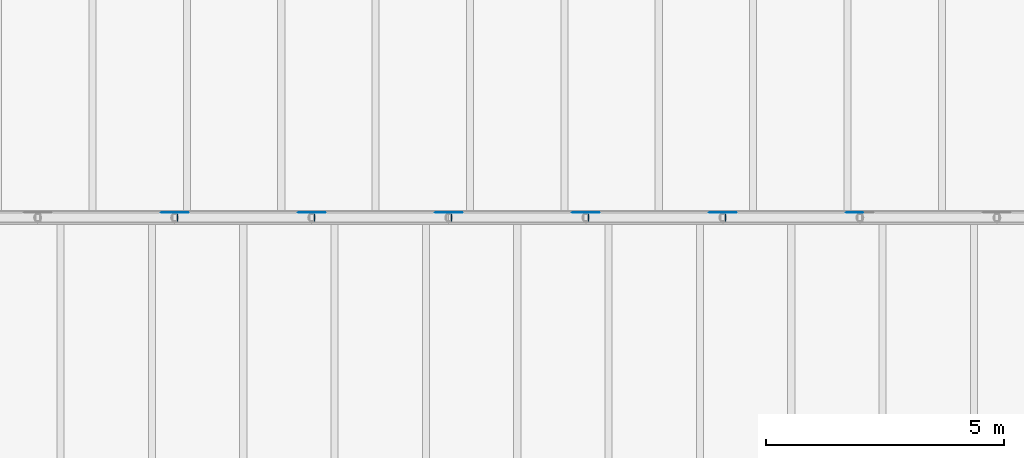
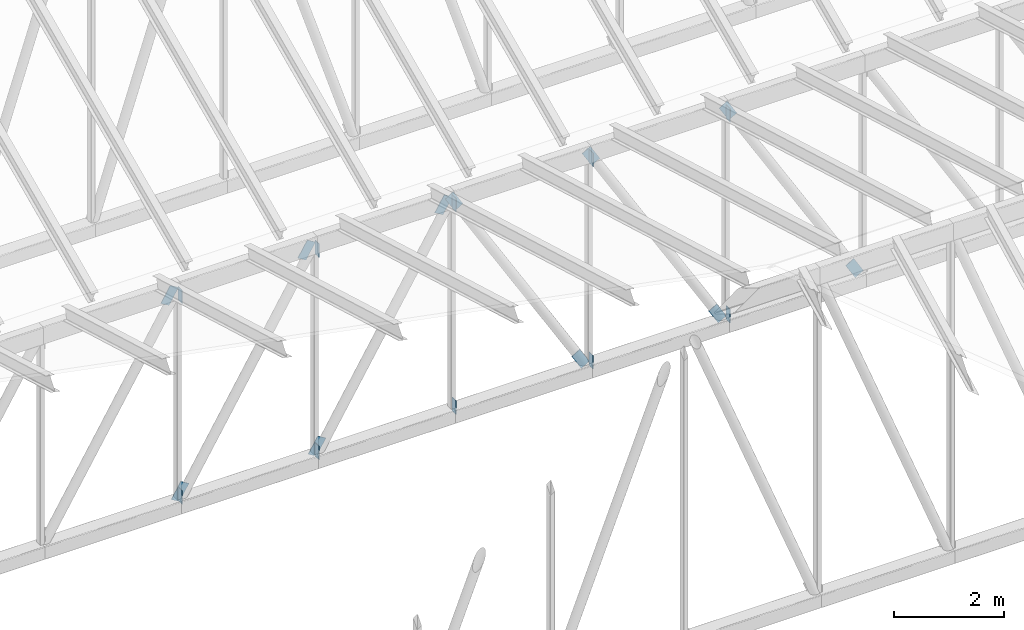
# One storey, part 53 of 68: 21 discrete accessories.
"""IFC4 building model written with IfcOpenShell, lengths in metres."""

from ifc_helpers import new_model, si_unit, direction, frame, origin, origin_2d, place, context, subcontext, project, spatial, rectangle, extrude, material, material_profile, profile_set, type_object, element, save


model = new_model("IFC4")

# Units and contexts
model_context = context("Model", 3, precision=1e-05, world=origin(), true_north=direction((0.0, 1.0)))
body_context = subcontext(model_context, "Body", "Model", "MODEL_VIEW")
ifc_project = project(units=[si_unit("LENGTHUNIT", "METRE"), si_unit("AREAUNIT", "SQUARE_METRE"), si_unit("VOLUMEUNIT", "CUBIC_METRE"), si_unit("PLANEANGLEUNIT", "RADIAN"), si_unit("MASSUNIT", "GRAM", prefix="KILO")], contexts=[model_context])

# Site, building, storey
site_placement = place(None, origin())
site = spatial("IfcSite", under=ifc_project, at=site_placement, CompositionType="ELEMENT")
building_placement = place(site_placement, origin())
building = spatial("IfcBuilding", under=site, at=building_placement, Name="Larchfold Concert Hall", CompositionType="ELEMENT")
storey_placement = place(building_placement, frame((0.0, 0.0, 28.800048828125)))
storey = spatial("IfcBuildingStorey", under=building, at=storey_placement, Name="L06", CompositionType="ELEMENT", Elevation=28.800048828125)

# Discrete accessories
ifc_material_1 = material(Name="Steel S355 galvanised bracket", Category="steel")
ifc_material_profile_1 = material_profile(ifc_material_1, rectangle(XDim=0.011962890625, YDim=0.14990234375, at=origin_2d()))
ifc_profile_set_1 = profile_set([ifc_material_profile_1], Name="Steel S355 galvanised bracket")
discrete_accessory_type_1 = type_object("IfcDiscreteAccessoryType", Name="Gusset plate 12x150", PredefinedType="BRACKET", material=ifc_profile_set_1)
for number, where, z_axis, x_axis, name in (
    (1, (35.45458984375, 85.199951171875, 4.780029296875), (0.0, 0.0, -1.0), (1.0, 0.0, 0.0), "Gusset plate GP0317"),
    (2, (35.45458984375, 85.199951171875, 0.320068359375), (0.0, 0.0, -1.0), (1.0, 0.0, 0.0), "Gusset plate GP0318"),
    (3, (38.335205078125, 85.199951171875, 4.800048828125), (0.0, 0.0, -1.0), (1.0, 0.0, 0.0), "Gusset plate GP0319"),
    (4, (38.335205078125, 85.199951171875, 0.300048828125), (0.0, 0.0, -1.0), (1.0, 0.0, 0.0), "Gusset plate GP0320"),
    (5, (41.2158203125, 85.199951171875, 4.800048828125), (0.0, 0.0, -1.0), (1.0, 0.0, 0.0), "Gusset plate GP0321"),
    (6, (41.2158203125, 85.199951171875, 0.300048828125), (0.0, 0.0, -1.0), (1.0, 0.0, 0.0), "Gusset plate GP0322"),
    (7, (44.09619140625, 85.199951171875, 4.800048828125), (0.0, 0.0, -1.0), (1.0, 0.0, 0.0), "Gusset plate GP0323"),
    (8, (44.09619140625, 85.199951171875, 0.300048828125), (0.0, 0.0, -1.0), (1.0, 0.0, 0.0), "Gusset plate GP0324"),
    (9, (46.976806640625, 85.199951171875, 4.780029296875), (0.0, 0.0, -1.0), (1.0, 0.0, 0.0), "Gusset plate GP0325"),
    (10, (46.976806640625, 85.199951171875, 0.320068359375), (0.0, 0.0, -1.0), (1.0, 0.0, 0.0), "Gusset plate GP0326"),
):
    element("IfcDiscreteAccessory", number, at=place(storey_placement, frame(where, z_axis=z_axis, x_axis=x_axis)), inside=storey, type_object=discrete_accessory_type_1, Name=name, PredefinedType="BRACKET", context=body_context, shape_type="SweptSolid", body=[
        extrude(rectangle(XDim=0.011962890625, YDim=0.14990234375, at=origin_2d()), origin(), (0.0, 0.0, 1.0), 0.300048828125),
    ])
ifc_material_2 = material(Name="Steel S355 galvanised bracket", Category="steel")
ifc_material_profile_2 = material_profile(ifc_material_2, rectangle(XDim=0.011962890625, YDim=0.199951171875, at=origin_2d()))
ifc_profile_set_2 = profile_set([ifc_material_profile_2], Name="Steel S355 galvanised bracket")
discrete_accessory_type_2 = type_object("IfcDiscreteAccessoryType", Name="Gusset plate 12x200", PredefinedType="BRACKET", material=ifc_profile_set_2)
for number, where, z_axis, x_axis, name in (
    (11, (35.18896484375, 85.302734375, 4.45068359375), (0.514681027104, 0.0, 0.857381735482), (0.0, 1.0, 0.0), "Gusset plate GP0352"),
    (12, (35.408935546875, 85.302734375, 0.01708984375), (0.514681027104, 0.0, 0.857381735482), (0.0, 1.0, 0.0), "Gusset plate GP0353"),
    (13, (38.069580078125, 85.302734375, 4.45068359375), (0.514681027104, 0.0, 0.857381735482), (0.0, 1.0, 0.0), "Gusset plate GP0354"),
    (14, (38.28955078125, 85.302734375, 0.01708984375), (0.514681027104, 0.0, 0.857381735482), (0.0, 1.0, 0.0), "Gusset plate GP0355"),
    (15, (40.9501953125, 85.302734375, 4.45068359375), (0.514681027104, 0.0, 0.857381735482), (0.0, 1.0, 0.0), "Gusset plate GP0356"),
    (16, (41.170166015625, 85.302734375, 4.782958984375), (0.514681027104, 0.0, -0.857381735482), (0.0, 1.0, 0.0), "Gusset plate GP0357"),
    (17, (43.83056640625, 85.302734375, 0.349365234375), (0.514681027104, 0.0, -0.857381735482), (0.0, 1.0, 0.0), "Gusset plate GP0358"),
    (18, (44.050537109375, 85.302734375, 4.782958984375), (0.514681027104, 0.0, -0.857381735482), (0.0, 1.0, 0.0), "Gusset plate GP0359"),
    (19, (46.711181640625, 85.302734375, 0.349365234375), (0.514681027104, 0.0, -0.857381735482), (0.0, 1.0, 0.0), "Gusset plate GP0360"),
    (20, (46.93115234375, 85.302734375, 4.782958984375), (0.514681027104, 0.0, -0.857381735482), (0.0, 1.0, 0.0), "Gusset plate GP0361"),
    (21, (49.591796875, 85.302734375, 0.349365234375), (0.514681027104, 0.0, -0.857381735482), (0.0, 1.0, 0.0), "Gusset plate GP0362"),
):
    element("IfcDiscreteAccessory", number, at=place(storey_placement, frame(where, z_axis=z_axis, x_axis=x_axis)), inside=storey, type_object=discrete_accessory_type_2, Name=name, PredefinedType="BRACKET", context=body_context, shape_type="SweptSolid", body=[
        extrude(rectangle(XDim=0.011962890625, YDim=0.199951171875, at=origin_2d()), origin(), (0.0, 0.0, 1.0), 0.387451171875),
    ])

save(model, "model.ifc")
